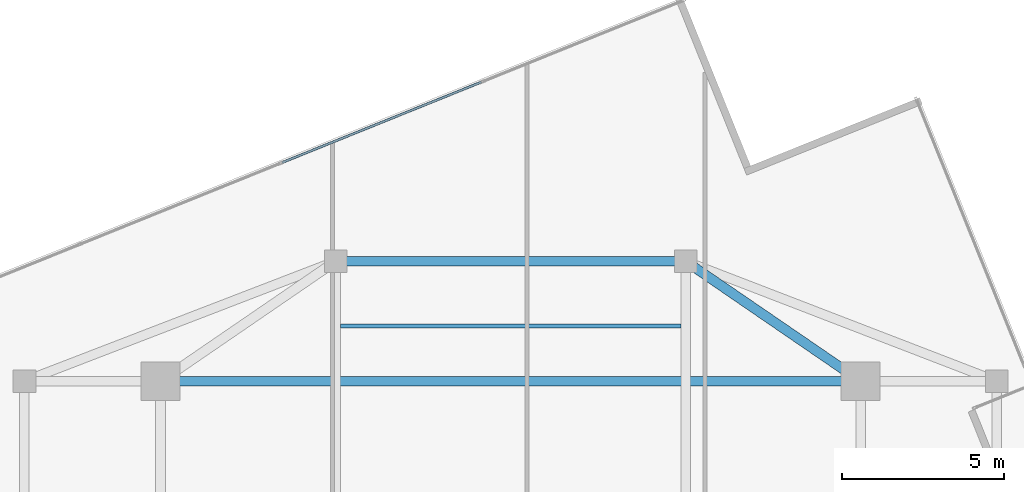
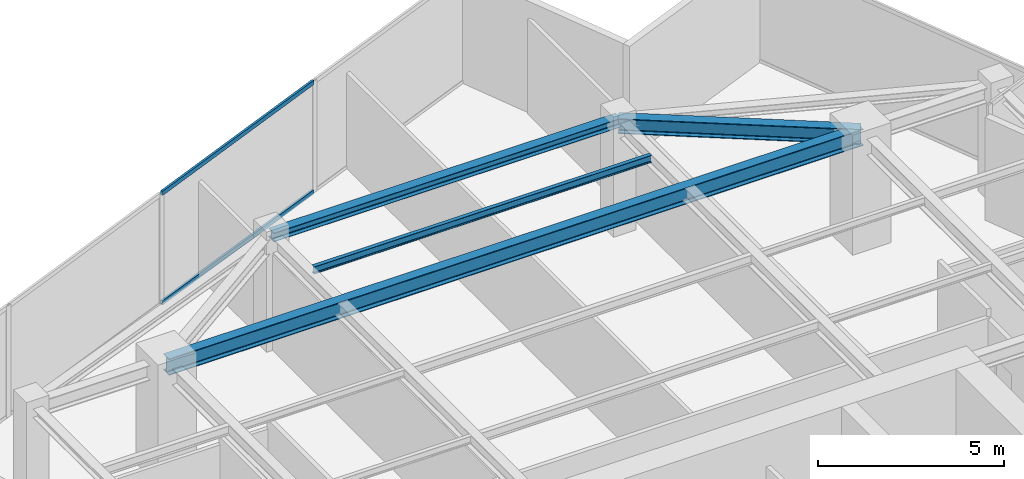
# One storey, part 14 of 21: 4 beams, 2 members, 1 element without a shape of its own.
"""IFC4 building model written with IfcOpenShell, lengths in metres."""

from ifc_helpers import new_model, si_unit, direction, frame, origin, origin_2d, place, context, subcontext, project, spatial, hollow_rectangle, i_section, extrude, source, transform, mapped, material, material_profile, profile_set, type_object, type_shapes, element, aggregate, save


model = new_model("IFC4")

# Units and contexts
model_context = context("Model", 3, precision=1e-05, world=origin(), true_north=direction((0.0, 1.0)))
body_context = subcontext(model_context, "Body", "Model", "MODEL_VIEW")
ifc_project = project(units=[si_unit("LENGTHUNIT", "METRE"), si_unit("AREAUNIT", "SQUARE_METRE"), si_unit("VOLUMEUNIT", "CUBIC_METRE"), si_unit("PLANEANGLEUNIT", "RADIAN"), si_unit("MASSUNIT", "GRAM", prefix="KILO")], contexts=[model_context])

# Site, building, storey
site_placement = place(None, origin())
site = spatial("IfcSite", under=ifc_project, at=site_placement, CompositionType="ELEMENT")
building_placement = place(site_placement, origin())
building = spatial("IfcBuilding", under=site, at=building_placement, Name="Krantzveldt Concourse Tower", CompositionType="ELEMENT")
storey_placement = place(building_placement, frame((0.0, 0.0, 323.75)))
storey = spatial("IfcBuildingStorey", under=building, at=storey_placement, Name="L79", CompositionType="ELEMENT", Elevation=323.75)

# Beams
ifc_material_1 = material(Name="Steel S355JR", Category="steel")
ifc_material_profile_1 = material_profile(ifc_material_1, i_section(OverallWidth=0.300048828125, OverallDepth=0.489990234375, WebThickness=0.011962890625, FlangeThickness=0.02294921875, FilletRadius=0.027099609375, at=origin_2d()), Name="Steel S355JR", Category="steel")
ifc_profile_set_1 = profile_set([ifc_material_profile_1], Name="Steel S355JR - HEA 500")
beam_type_1 = type_object("IfcBeamType", Name="BM-B-HEA500", PredefinedType="BEAM", material=ifc_profile_set_1)
shared_shape_1 = source(origin(), body_context, "Body", "SweptSolid", [
    extrude(i_section(OverallWidth=0.300048828125, OverallDepth=0.489990234375, WebThickness=0.011962890625, FlangeThickness=0.02294921875, FilletRadius=0.027099609375, at=origin_2d()), origin(), (0.0, 0.0, 1.0), 6.546142578125),
])
type_shapes(beam_type_1, [shared_shape_1])
beam_1_placement = place(storey_placement, frame((46.800048828125, 37.5, 3.425048828125), z_axis=(-0.824942999484, 0.565215930068, 0.0), x_axis=(-0.565215930068, -0.824942999484, 0.0)))
element("IfcBeam", 1, at=beam_1_placement, inside=storey, type_object=beam_type_1, Name="L79 Tower Girder BR-RR4", PredefinedType="BEAM", context=body_context, shape_type="MappedRepresentation", body=[
    mapped(shared_shape_1, transform((0.0, 0.0, 0.0), x_axis=(1.0, 0.0, 0.0), y_axis=(0.0, 1.0, 0.0), z_axis=(0.0, 0.0, 1.0), scale=1.0)),
])
ifc_material_profile_2 = material_profile(ifc_material_1, i_section(OverallWidth=0.300048828125, OverallDepth=0.5400390625, WebThickness=0.012451171875, FlangeThickness=0.02392578125, FilletRadius=0.027099609375, at=origin_2d()), Name="Steel S355JR", Category="steel")
ifc_profile_set_2 = profile_set([ifc_material_profile_2], Name="Steel S355JR - HEA 550")
beam_type_2 = type_object("IfcBeamType", Name="BM-B-HEA550", PredefinedType="BEAM", material=ifc_profile_set_2)
shared_shape_2 = source(origin(), body_context, "Body", "SweptSolid", [
    extrude(i_section(OverallWidth=0.300048828125, OverallDepth=0.5400390625, WebThickness=0.012451171875, FlangeThickness=0.02392578125, FilletRadius=0.027099609375, at=origin_2d()), origin(), (0.0, 0.0, 1.0), 21.60009765625),
])
type_shapes(beam_type_2, [shared_shape_2])
beam_2_placement = place(storey_placement, frame((25.199951171875, 37.5, 3.39990234375), z_axis=(1.0, 0.0, 0.0), x_axis=(0.0, 1.0, 0.0)))
element("IfcBeam", 2, at=beam_2_placement, inside=storey, type_object=beam_type_2, Name="L79 Tower Girder BG-MN", PredefinedType="BEAM", context=body_context, shape_type="MappedRepresentation", body=[
    mapped(shared_shape_2, transform((0.0, 0.0, 0.0), x_axis=(1.0, 0.0, 0.0), y_axis=(0.0, 1.0, 0.0), z_axis=(0.0, 0.0, 1.0), scale=1.0)),
])
ifc_material_profile_3 = material_profile(ifc_material_1, i_section(OverallWidth=0.2900390625, OverallDepth=0.2900390625, WebThickness=0.008544921875, FlangeThickness=0.013916015625, FilletRadius=0.027099609375, at=origin_2d()), Name="Steel S355JR", Category="steel")
ifc_profile_set_3 = profile_set([ifc_material_profile_3], Name="Steel S355JR - HEA 300")
beam_type_3 = type_object("IfcBeamType", Name="BM-SP-HEA300", PredefinedType="SPANDREL", material=ifc_profile_set_3)
shared_shape_3 = source(origin(), body_context, "Body", "SweptSolid", [
    extrude(i_section(OverallWidth=0.2900390625, OverallDepth=0.2900390625, WebThickness=0.008544921875, FlangeThickness=0.013916015625, FilletRadius=0.027099609375, at=origin_2d()), origin(), (0.0, 0.0, 1.0), 10.7998046875),
])
type_shapes(beam_type_3, [shared_shape_3])
beam_3_placement = place(storey_placement, frame((30.60009765625, 41.199951171875, 3.52490234375), z_axis=(1.0, 0.0, 0.0), x_axis=(0.0, 1.0, 0.0)))
element("IfcBeam", 3, at=beam_3_placement, inside=storey, type_object=beam_type_3, Name="L79 Tower Girder SP-R04", PredefinedType="SPANDREL", context=body_context, shape_type="MappedRepresentation", body=[
    mapped(shared_shape_3, transform((0.0, 0.0, 0.0), x_axis=(1.0, 0.0, 0.0), y_axis=(0.0, 1.0, 0.0), z_axis=(0.0, 0.0, 1.0), scale=1.0)),
])
ifc_material_profile_4 = material_profile(ifc_material_1, i_section(OverallWidth=0.1201171875, OverallDepth=0.239990234375, WebThickness=0.006103515625, FlangeThickness=0.009765625, FilletRadius=0.014892578125, at=origin_2d()), Name="Steel S355JR", Category="steel")
ifc_profile_set_4 = profile_set([ifc_material_profile_4], Name="Steel S355JR - IPE 240")
beam_type_4 = type_object("IfcBeamType", Name="BM-LN-IPE240", PredefinedType="LINTEL", material=ifc_profile_set_4)
shared_shape_4 = source(origin(), body_context, "Body", "SweptSolid", [
    extrude(i_section(OverallWidth=0.1201171875, OverallDepth=0.239990234375, WebThickness=0.006103515625, FlangeThickness=0.009765625, FilletRadius=0.014892578125, at=origin_2d()), origin(), (0.0, 0.0, 1.0), 10.5),
])
type_shapes(beam_type_4, [shared_shape_4])
beam_4_placement = place(storey_placement, frame((30.75, 39.199951171875, 3.550048828125), z_axis=(1.0, 0.0, 0.0), x_axis=(0.0, 1.0, 0.0)))
element("IfcBeam", 4, at=beam_4_placement, inside=storey, type_object=beam_type_4, Name="L79 Secondary Floor Joist JN-C3", PredefinedType="LINTEL", context=body_context, shape_type="MappedRepresentation", body=[
    mapped(shared_shape_4, transform((0.0, 0.0, 0.0), x_axis=(1.0, 0.0, 0.0), y_axis=(0.0, 1.0, 0.0), z_axis=(0.0, 0.0, 1.0), scale=1.0)),
])

# Curtain wall, members
ifc_material_2 = material(Name="Anodised aluminium 6063-T6", Category="aluminium")
curtain_wall_type = type_object("IfcCurtainWallType", Name="CW4", PredefinedType="USERDEFINED", material=ifc_material_2)
curtain_wall_placement = place(storey_placement, origin())
curtain_wall = element("IfcCurtainWall", 5, at=curtain_wall_placement, inside=storey, type_object=curtain_wall_type, Name="CW-L79-F01", ObjectType="UNITISED CURTAIN WALL", PredefinedType="USERDEFINED")
ifc_material_profile_5 = material_profile(ifc_material_2, hollow_rectangle(XDim=0.070068359375, YDim=0.139892578125, WallThickness=0.0048828125, at=origin_2d()), Name="Anodised aluminium 6063-T6", Category="aluminium")
ifc_profile_set_5 = profile_set([ifc_material_profile_5], Name="Anodised aluminium 6063-T6 - ALU-TRAN 140x70x5")
member_type = type_object("IfcMemberType", Name="CW-TRN-150", PredefinedType="USERDEFINED", material=ifc_profile_set_5)
shared_shape_5 = source(origin(), body_context, "Body", "SweptSolid", [
    extrude(hollow_rectangle(XDim=0.070068359375, YDim=0.139892578125, WallThickness=0.0048828125, at=origin_2d()), origin(), (0.0, 0.0, 1.0), 6.6298828125),
])
type_shapes(member_type, [shared_shape_5])
member_1_placement = place(storey_placement, frame((35.095947265625, 46.729736328125, 0.034912109375), z_axis=(-0.92718355196, -0.374607342392, 0.0), x_axis=(0.374607342392, -0.92718355196, 0.0)))
member_1 = element("IfcMember", 6, at=member_1_placement, type_object=member_type, Name="CW-Z56 transom 2.1", ObjectType="TRANSOM", PredefinedType="USERDEFINED", context=body_context, shape_type="MappedRepresentation", body=[
    mapped(shared_shape_5, transform((0.0, 0.0, 0.0), x_axis=(1.0, 0.0, 0.0), y_axis=(0.0, 1.0, 0.0), z_axis=(0.0, 0.0, 1.0), scale=1.0)),
])
member_2_placement = place(storey_placement, frame((35.095947265625, 46.729736328125, 3.635009765625), z_axis=(-0.92718355196, -0.374607342392, 0.0), x_axis=(0.374607342392, -0.92718355196, 0.0)))
member_2 = element("IfcMember", 7, at=member_2_placement, type_object=member_type, Name="CW-Z56 transom 2.2", ObjectType="TRANSOM", PredefinedType="USERDEFINED", context=body_context, shape_type="MappedRepresentation", body=[
    mapped(shared_shape_5, transform((0.0, 0.0, 0.0), x_axis=(1.0, 0.0, 0.0), y_axis=(0.0, 1.0, 0.0), z_axis=(0.0, 0.0, 1.0), scale=1.0)),
])
aggregate(curtain_wall, [member_1, member_2])

save(model, "model.ifc")
